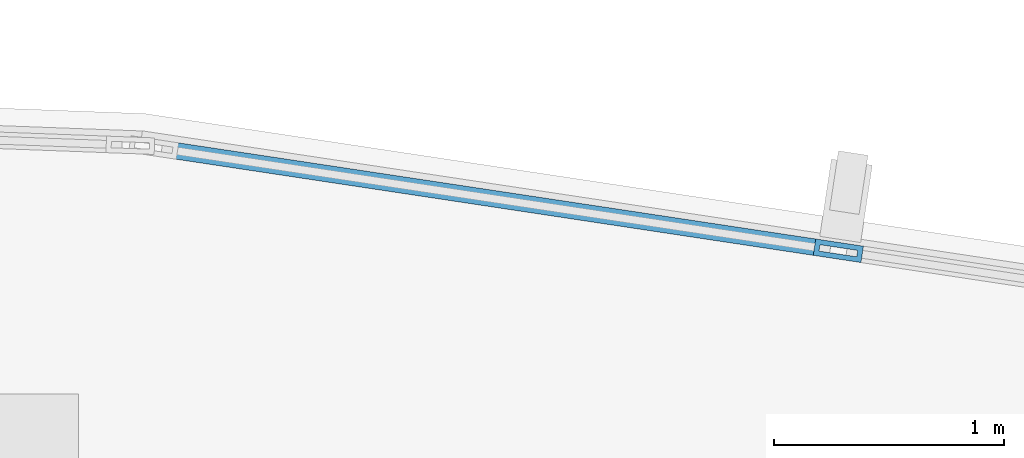
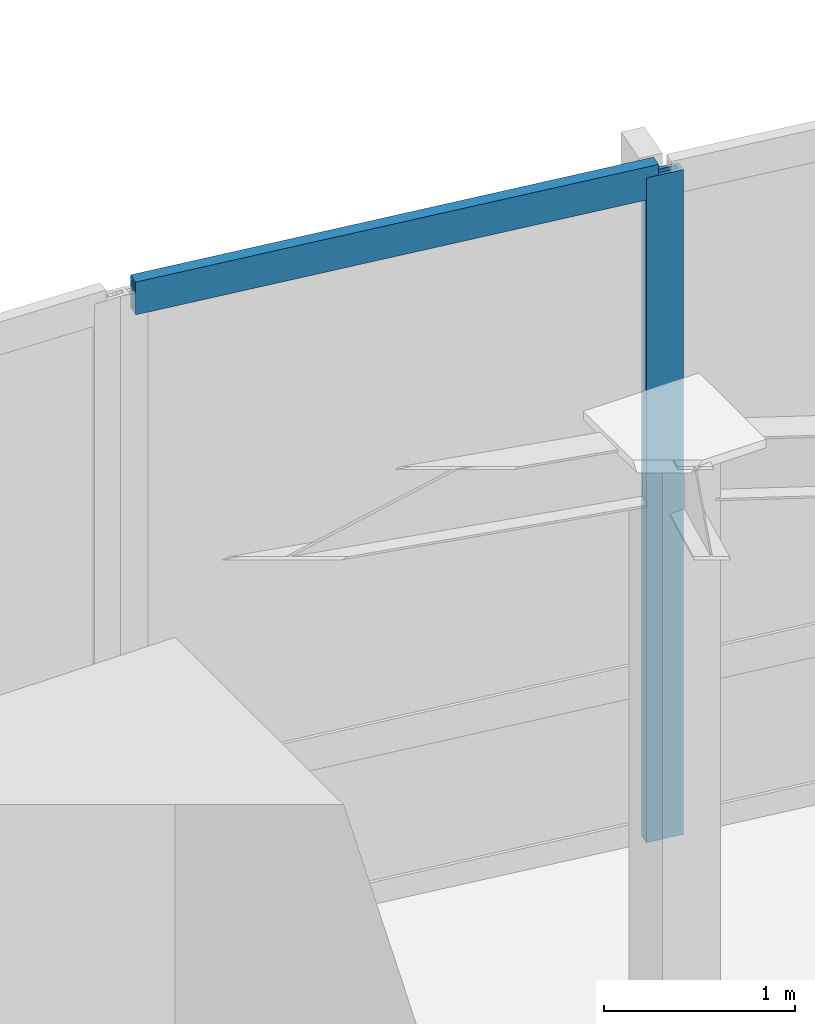
# One storey, part 8 of 16: 2 members, 1 element without a shape of its own.
"""IFC4 building model written with IfcOpenShell, lengths in metres."""

from ifc_helpers import new_model, si_unit, direction, frame, origin, origin_2d, place, context, subcontext, project, spatial, hollow_rectangle, extrude, source, transform, mapped, material, layer, layer_set, material_profile, profile_set, type_object, type_shapes, element, aggregate, save


model = new_model("IFC4")

# Units and contexts
model_context = context("Model", 3, precision=1e-05, world=origin(), true_north=direction((0.0, 1.0)))
body_context = subcontext(model_context, "Body", "Model", "MODEL_VIEW")
ifc_project = project(units=[si_unit("LENGTHUNIT", "METRE"), si_unit("AREAUNIT", "SQUARE_METRE"), si_unit("VOLUMEUNIT", "CUBIC_METRE"), si_unit("PLANEANGLEUNIT", "RADIAN"), si_unit("MASSUNIT", "GRAM", prefix="KILO")], contexts=[model_context])

# Site, building, storey
site_placement = place(None, origin())
site = spatial("IfcSite", under=ifc_project, at=site_placement, CompositionType="ELEMENT")
building_placement = place(site_placement, origin())
building = spatial("IfcBuilding", under=site, at=building_placement, Name="Tavelor Broadcast Tower", CompositionType="ELEMENT")
storey_placement = place(building_placement, frame((0.0, 0.0, 332.10009765625)))
storey = spatial("IfcBuildingStorey", under=building, at=storey_placement, Name="L79", CompositionType="ELEMENT", Elevation=332.10009765625)

# Curtain wall, members
ifc_material = material(Name="Architectural Anodized Aluminium", Category="aluminium")
ifc_layer = layer(ifc_material, 0.2099609375)
ifc_layer_set = layer_set([ifc_layer], Name="Architectural Anodized Aluminium")
curtain_wall_type = type_object("IfcCurtainWallType", Name="Split-Crown Beacon Curtain Wall CW06", PredefinedType="NOTDEFINED", material=ifc_layer_set)
curtain_wall_placement = place(storey_placement, origin())
curtain_wall = element("IfcCurtainWall", 1, at=curtain_wall_placement, inside=storey, type_object=curtain_wall_type, Name="L79 Curtain Wall CW06 Run 883", PredefinedType="NOTDEFINED")
ifc_material_profile_1 = material_profile(ifc_material, hollow_rectangle(XDim=0.072021484375, YDim=0.2099609375, WallThickness=0.02197265625, at=origin_2d()), Name="RHS 72x210x22")
ifc_profile_set_1 = profile_set([ifc_material_profile_1], Name="Architectural Anodized Aluminium")
member_type_1 = type_object("IfcMemberType", Name="CW06 Extruded Aluminium Mullion 72x210", PredefinedType="MULLION", material=ifc_profile_set_1)
shared_shape_1 = source(origin(), body_context, "Body", "SweptSolid", [
    extrude(hollow_rectangle(XDim=0.072021484375, YDim=0.2099609375, WallThickness=0.02197265625, at=origin_2d()), origin(), (0.0, 0.0, 1.0), 4.25),
])
type_shapes(member_type_1, [shared_shape_1])
member_1_placement = place(storey_placement, frame((59.491943359375, 61.30908203125, 0.0), z_axis=(0.0, 0.0, 1.0), x_axis=(-0.149205506693, -0.988806207895, 0.0)))
member_1 = element("IfcMember", 2, at=member_1_placement, type_object=member_type_1, Name="CW06 mullion 2", PredefinedType="MULLION", context=body_context, shape_type="MappedRepresentation", body=[
    mapped(shared_shape_1, transform((0.0, 0.0, 0.0), scale=1.0)),
])
ifc_material_profile_2 = material_profile(ifc_material, hollow_rectangle(XDim=0.072021484375, YDim=0.2099609375, WallThickness=0.02197265625, at=origin_2d()), Name="RHS 72x210x22")
ifc_profile_set_2 = profile_set([ifc_material_profile_2], Name="Architectural Anodized Aluminium")
member_type_2 = type_object("IfcMemberType", Name="CW06 Extruded Aluminium Transom 72x210", PredefinedType="USERDEFINED", material=ifc_profile_set_2)
shared_shape_2 = source(origin(), body_context, "Body", "SweptSolid", [
    extrude(hollow_rectangle(XDim=0.072021484375, YDim=0.2099609375, WallThickness=0.02197265625, at=origin_2d()), origin(), (0.0, 0.0, 1.0), 2.94140625),
])
type_shapes(member_type_2, [shared_shape_2])
member_2_placement = place(storey_placement, frame((59.456298828125, 61.314453125, 4.2138671875), z_axis=(-0.988813642881, 0.149156225657, 0.0), x_axis=(-0.149156225657, -0.988813642881, 0.0)))
member_2 = element("IfcMember", 3, at=member_2_placement, type_object=member_type_2, Name="CW06 transom 2.3", ObjectType="TRANSOM", PredefinedType="USERDEFINED", context=body_context, shape_type="MappedRepresentation", body=[
    mapped(shared_shape_2, transform((0.0, 0.0, 0.0), scale=1.0)),
])
aggregate(curtain_wall, [member_1, member_2])

save(model, "model.ifc")
